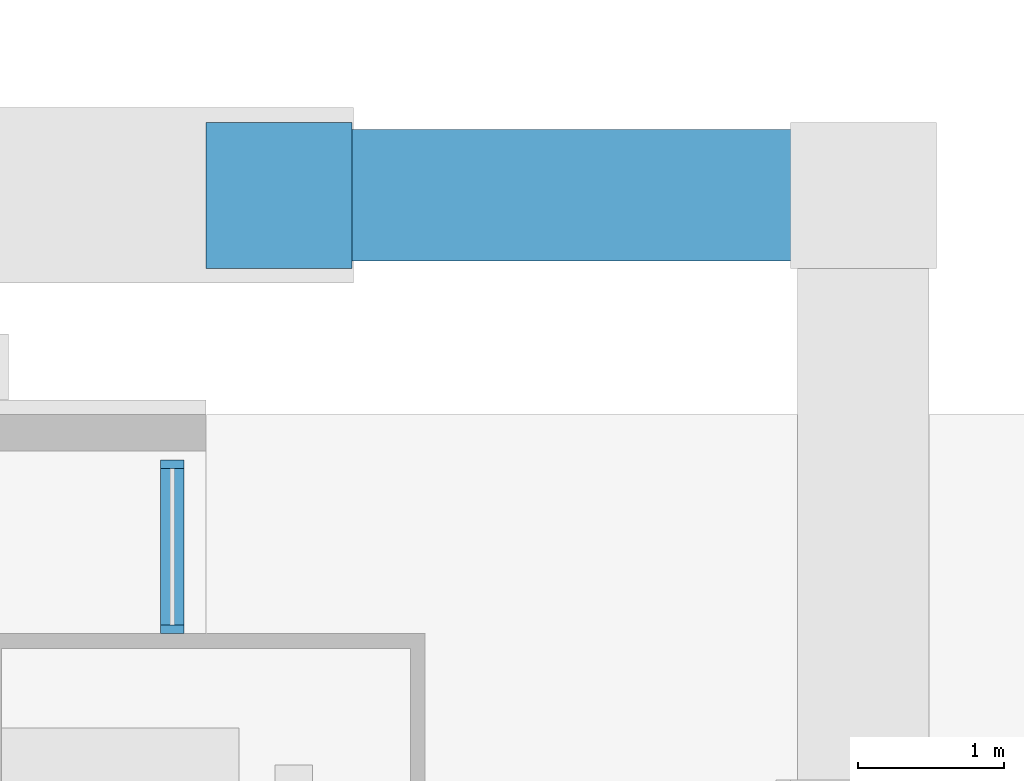
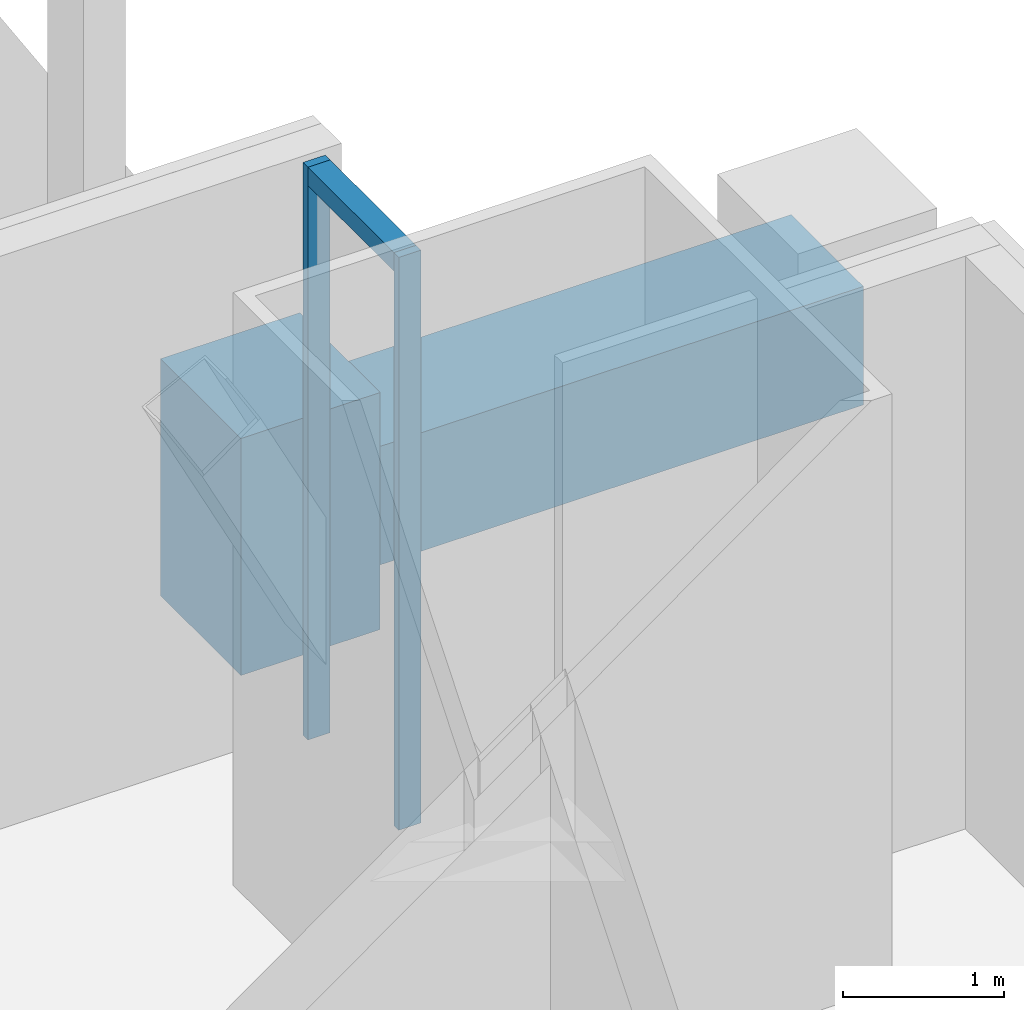
# One storey, part 19 of 29: 5 members, 1 element without a shape of its own.
"""IFC4 building model written with IfcOpenShell, lengths in metres."""

from ifc_helpers import new_model, si_unit, direction, frame, origin, origin_2d, place, context, subcontext, project, spatial, rectangle, hollow_rectangle, extrude, material, material_profile, profile_set, type_object, element, aggregate, save


model = new_model("IFC4")

# Units and contexts
model_context = context("Model", 3, precision=1e-05, world=origin(), true_north=direction((0.0, 1.0)))
body_context = subcontext(model_context, "Body", "Model", "MODEL_VIEW")
ifc_project = project(units=[si_unit("LENGTHUNIT", "METRE"), si_unit("AREAUNIT", "SQUARE_METRE"), si_unit("VOLUMEUNIT", "CUBIC_METRE"), si_unit("PLANEANGLEUNIT", "RADIAN"), si_unit("MASSUNIT", "GRAM", prefix="KILO")], contexts=[model_context])

# Site, building, storey
site_placement = place(None, origin())
site = spatial("IfcSite", under=ifc_project, at=site_placement, CompositionType="ELEMENT")
building_placement = place(site_placement, origin())
building = spatial("IfcBuilding", under=site, at=building_placement, Name="Bicima Exchange Tower", CompositionType="ELEMENT")
storey_placement = place(building_placement, frame((0.0, 0.0, 35.0)))
storey = spatial("IfcBuildingStorey", under=building, at=storey_placement, Name="L06", CompositionType="ELEMENT", Elevation=35.0)

# Members
ifc_material_1 = material(Name="Steel ASTM A572 Gr 50", Category="steel")
ifc_material_profile_1 = material_profile(ifc_material_1, hollow_rectangle(XDim=0.89990234375, YDim=0.89990234375, WallThickness=0.050048828125, at=origin_2d()))
ifc_profile_set_1 = profile_set([ifc_material_profile_1], Name="Steel ASTM A572 Gr 50")
member_type_1 = type_object("IfcMemberType", Name="Exo belt ring BOX 900x900x50", PredefinedType="CHORD", material=ifc_profile_set_1)
member_1_placement = place(storey_placement, frame((37.5, 1.5, 0.449951171875), z_axis=(-1.0, 0.0, 0.0), x_axis=(0.0, -1.0, 0.0)))
element("IfcMember", 1, at=member_1_placement, inside=storey, type_object=member_type_1, Name="Exo belt ring", PredefinedType="CHORD", context=body_context, shape_type="SweptSolid", body=[
    extrude(hollow_rectangle(XDim=0.89990234375, YDim=0.89990234375, WallThickness=0.050048828125, at=origin_2d()), origin(), (0.0, 0.0, 1.0), 4.0),
])
ifc_material_2 = material(Name="Cast steel ASTM A216 Gr WCB", Category="steel")
ifc_material_profile_2 = material_profile(ifc_material_2, rectangle(XDim=1.0, YDim=1.0, at=origin_2d()))
ifc_profile_set_2 = profile_set([ifc_material_profile_2], Name="Cast steel ASTM A216 Gr WCB")
member_type_2 = type_object("IfcMemberType", Name="Exo node block", PredefinedType="POST", material=ifc_profile_set_2)
member_2_placement = place(storey_placement, frame((33.5, 1.5, -0.449951171875), z_axis=(0.0, 0.0, 1.0), x_axis=(1.0, 0.0, 0.0)))
element("IfcMember", 2, at=member_2_placement, inside=storey, type_object=member_type_2, Name="Exo node block", PredefinedType="POST", context=body_context, shape_type="SweptSolid", body=[
    extrude(rectangle(XDim=1.0, YDim=1.0, at=origin_2d()), origin(), (0.0, 0.0, 1.0), 1.800048828125),
])

# Curtain wall, members
ifc_material_3 = material(Name="Anodised bronze aluminium", Category="aluminium")
curtain_wall_type = type_object("IfcCurtainWallType", Name="Front glass wall", PredefinedType="NOTDEFINED", material=ifc_material_3)
curtain_wall_placement = place(storey_placement, origin())
curtain_wall = element("IfcCurtainWall", 3, at=curtain_wall_placement, inside=storey, type_object=curtain_wall_type, Name="Front glass wall L06 run 20", PredefinedType="NOTDEFINED")
ifc_material_profile_3 = material_profile(ifc_material_3, rectangle(XDim=0.159912109375, YDim=0.06005859375, at=origin_2d()))
ifc_profile_set_3 = profile_set([ifc_material_profile_3], Name="Anodised bronze aluminium")
member_type_3 = type_object("IfcMemberType", Name="Front glass wall mullion 60 x 160", PredefinedType="MULLION", material=ifc_profile_set_3)
member_3_placement = place(storey_placement, frame((32.77001953125, -1.469970703125, 0.0), z_axis=(0.0, 0.0, 1.0), x_axis=(-1.0, 0.0, 0.0)))
member_3 = element("IfcMember", 4, at=member_3_placement, type_object=member_type_3, Name="Front glass wall mullion 1", PredefinedType="MULLION", context=body_context, shape_type="SweptSolid", body=[
    extrude(rectangle(XDim=0.159912109375, YDim=0.06005859375, at=origin_2d()), origin(), (0.0, 0.0, 1.0), 4.35009765625),
])
member_4_placement = place(storey_placement, frame((32.77001953125, -0.340087890625, 0.0), z_axis=(0.0, 0.0, 1.0), x_axis=(-1.0, 0.0, 0.0)))
member_4 = element("IfcMember", 5, at=member_4_placement, type_object=member_type_3, Name="Front glass wall mullion 2", PredefinedType="MULLION", context=body_context, shape_type="SweptSolid", body=[
    extrude(rectangle(XDim=0.159912109375, YDim=0.06005859375, at=origin_2d()), origin(), (0.0, 0.0, 1.0), 4.35009765625),
])
ifc_material_profile_4 = material_profile(ifc_material_3, rectangle(XDim=0.159912109375, YDim=0.139892578125, at=origin_2d()))
ifc_profile_set_4 = profile_set([ifc_material_profile_4], Name="Anodised bronze aluminium")
member_type_4 = type_object("IfcMemberType", Name="Front glass wall transom 140 x 160", PredefinedType="USERDEFINED", material=ifc_profile_set_4)
member_5_placement = place(storey_placement, frame((32.77001953125, -1.43994140625, 4.280029296875), z_axis=(0.0, 1.0, 0.0), x_axis=(-1.0, 0.0, 0.0)))
member_5 = element("IfcMember", 6, at=member_5_placement, type_object=member_type_4, Name="Front glass wall transom 1.1", ObjectType="TRANSOM", PredefinedType="USERDEFINED", context=body_context, shape_type="SweptSolid", body=[
    extrude(rectangle(XDim=0.159912109375, YDim=0.139892578125, at=origin_2d()), origin(), (0.0, 0.0, 1.0), 1.06982421875),
])
aggregate(curtain_wall, [member_3, member_4, member_5])

save(model, "model.ifc")
